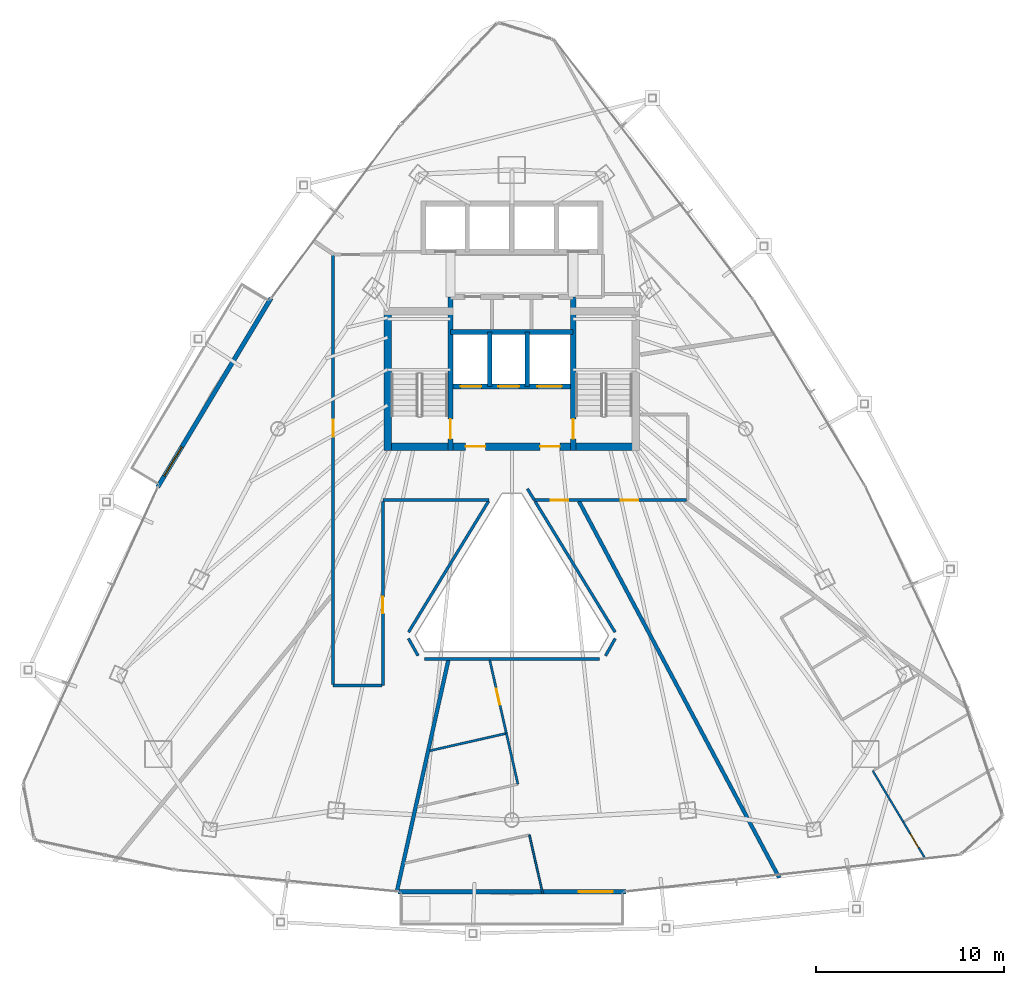
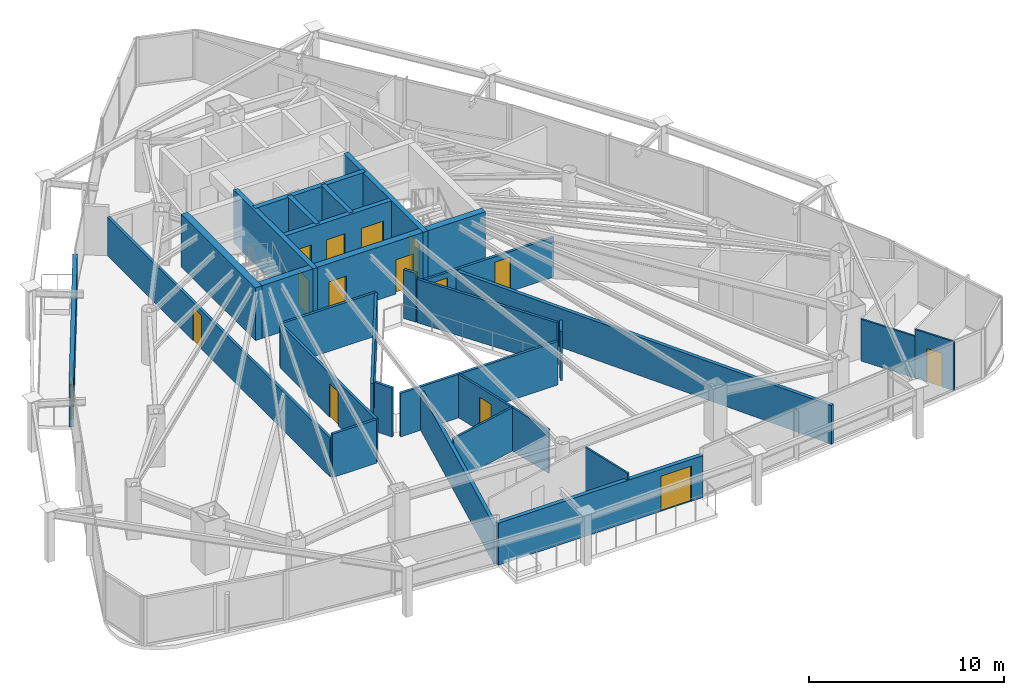
# One storey, part 28 of 33: 29 walls, 15 doors, 15 openings.
"""IFC4 building model written with IfcOpenShell, lengths in metres."""

from ifc_helpers import new_model, si_unit, direction, frame, frame_2d, origin, place, context, subcontext, project, spatial, rectangle, extrude, material, layer, layer_set, type_object, element, fill, save


model = new_model("IFC4")

# Units and contexts
model_context = context("Model", 3, precision=1e-05, world=origin(), true_north=direction((0.0, 1.0)))
body_context = subcontext(model_context, "Body", "Model", "MODEL_VIEW")
ifc_project = project(units=[si_unit("LENGTHUNIT", "METRE"), si_unit("AREAUNIT", "SQUARE_METRE"), si_unit("VOLUMEUNIT", "CUBIC_METRE"), si_unit("PLANEANGLEUNIT", "RADIAN"), si_unit("MASSUNIT", "GRAM", prefix="KILO")], contexts=[model_context])

# Site, building, storey
site_placement = place(None, origin())
site = spatial("IfcSite", under=ifc_project, at=site_placement, CompositionType="ELEMENT")
building_placement = place(site_placement, origin())
building = spatial("IfcBuilding", under=site, at=building_placement, Name="Orvanel Arch Residences", CompositionType="ELEMENT")
storey_placement = place(building_placement, frame((0.0, 0.0, 123.199951171875)))
storey = spatial("IfcBuildingStorey", under=building, at=storey_placement, Name="L34", CompositionType="ELEMENT", Elevation=123.199951171875)

# Wall, opening, door
ifc_material_1 = material(Name="Precast concrete N50 (50 MPa)", Category="concrete")
ifc_layer_1 = layer(ifc_material_1, 0.239990234375)
ifc_layer_set_1 = layer_set([ifc_layer_1], Name="Precast concrete N50 (50 MPa)")
wall_type_1 = type_object("IfcWallType", Name="EW-BAL-240", PredefinedType="SOLIDWALL", material=ifc_layer_set_1)
wall_1_placement = place(storey_placement, frame((20.199951171875, 34.5859375, 0.0), z_axis=(0.0, 0.0, 1.0), x_axis=(-0.514379309275, -0.857562782652, 0.0)))
wall_1 = element("IfcWall", 1, at=wall_1_placement, inside=storey, type_object=wall_type_1, Name="L34 Balcony Threshold Wall Face 1", PredefinedType="SOLIDWALL", context=body_context, shape_type="SweptSolid", body=[
    extrude(rectangle(XDim=11.716796875, YDim=0.239990234375, at=frame_2d((5.8583984375, 0.0))), origin(), (0.0, 0.0, 1.0), 2.6240234375),
])
opening_1_placement = place(wall_1_placement, frame((9.219970703125, 0.0, 0.0)))
opening_1 = element("IfcOpeningElement", 2, at=opening_1_placement, cuts=wall_1, Name="Opening DB-180", PredefinedType="OPENING", context=body_context, shape_type="SweptSolid", body=[
    extrude(rectangle(XDim=1.800048828125, YDim=2.199951171875, at=frame_2d((0.89990234375, 1.10009765625))), frame((0.0, 0.1298828125, 0.0), z_axis=(0.0, -1.0, 0.0), x_axis=(1.0, 0.0, 0.0)), (0.0, 0.0, 1.0), 0.260009765625),
])
ifc_material_2 = material(Name="Bronze-anodised aluminium AA6063-T6", Category="aluminium")
door_type_1 = type_object("IfcDoorType", Name="DR-BAL-1800", OperationType="NOTDEFINED", PredefinedType="DOOR", material=ifc_material_2)
door_1_placement = place(opening_1_placement, origin())
door_1 = element("IfcDoor", 3, at=door_1_placement, inside=storey, type_object=door_type_1, Name="DR-L34-BAL-F1 L34 Planted Balcony Access Door Face 1", OperationType="SINGLE_SWING_RIGHT", OverallHeight=2.199951171875, OverallWidth=1.800048828125, PredefinedType="DOOR", context=body_context, shape_type="SweptSolid", body=[
    extrude(rectangle(XDim=1.800048828125, YDim=2.199951171875, at=frame_2d((0.89990234375, 1.10009765625))), frame((0.0, 0.02490234375, 0.0), z_axis=(0.0, -1.0, 0.0), x_axis=(1.0, 0.0, 0.0)), (0.0, 0.0, 1.0), 0.050048828125),
])
fill(opening_1, door_1)

wall_2_placement = place(storey_placement, frame((26.943115234375, 3.032958984375, 0.0), z_axis=(0.0, 0.0, 1.0), x_axis=(1.0, 0.0, 0.0)))
wall_2 = element("IfcWall", 4, at=wall_2_placement, inside=storey, type_object=wall_type_1, Name="L34 Balcony Threshold Wall Face 2", PredefinedType="SOLIDWALL", context=body_context, shape_type="SweptSolid", body=[
    extrude(rectangle(XDim=12.11376953125, YDim=0.239990234375, at=frame_2d((6.056884765625, 0.0))), origin(), (0.0, 0.0, 1.0), 2.6240234375),
])
opening_2_placement = place(wall_2_placement, frame((9.614990234375, 0.0, 0.0)))
opening_2 = element("IfcOpeningElement", 5, at=opening_2_placement, cuts=wall_2, Name="Opening DB-180", PredefinedType="OPENING", context=body_context, shape_type="SweptSolid", body=[
    extrude(rectangle(XDim=1.800048828125, YDim=2.199951171875, at=frame_2d((0.89990234375, 1.10009765625))), frame((0.0, 0.1298828125, 0.0), z_axis=(0.0, -1.0, 0.0), x_axis=(1.0, 0.0, 0.0)), (0.0, 0.0, 1.0), 0.260009765625),
])
door_2_placement = place(opening_2_placement, origin())
door_2 = element("IfcDoor", 6, at=door_2_placement, inside=storey, type_object=door_type_1, Name="DR-L34-BAL-F2 L34 Planted Balcony Access Door Face 2", OperationType="SINGLE_SWING_LEFT", OverallHeight=2.199951171875, OverallWidth=1.800048828125, PredefinedType="DOOR", context=body_context, shape_type="SweptSolid", body=[
    extrude(rectangle(XDim=1.800048828125, YDim=2.199951171875, at=frame_2d((0.89990234375, 1.10009765625))), frame((0.0, 0.02490234375, 0.0), z_axis=(0.0, -1.0, 0.0), x_axis=(1.0, 0.0, 0.0)), (0.0, 0.0, 1.0), 0.050048828125),
])
fill(opening_2, door_2)

# Walls
ifc_material_3 = material(Name="Concrete N50 (50 MPa)", Category="concrete")
ifc_layer_2 = layer(ifc_material_3, 0.25)
ifc_layer_set_2 = layer_set([ifc_layer_2], Name="Concrete N50 (50 MPa)")
wall_type_2 = type_object("IfcWallType", Name="SW-CORE-250", PredefinedType="SHEAR", material=ifc_layer_set_2)
for number, where, z_axis, x_axis, name in (
    (7, (31.824951171875, 29.889892578125, 0.0), (0.0, 0.0, 1.0), (0.0, 1.0, 0.0), "L34 Emergency Lift Inter-Shaft Wall F12"),
    (8, (33.824951171875, 29.889892578125, 0.0), (0.0, 0.0, 1.0), (0.0, 1.0, 0.0), "L34 Emergency Lift Inter-Shaft Wall F2G"),
):
    element("IfcWall", number, at=place(storey_placement, frame(where, z_axis=z_axis, x_axis=x_axis)), inside=storey, type_object=wall_type_2, Name=name, PredefinedType="SHEAR", context=body_context, shape_type="SweptSolid", body=[
        extrude(rectangle(XDim=2.900146484375, YDim=0.25, at=frame_2d((1.4501953125, 0.0))), origin(), (0.0, 0.0, 1.0), 3.300048828125),
    ])

# Wall, opening, door
ifc_material_4 = material(Name="Concrete S65 (65 MPa)", Category="concrete")
ifc_layer_3 = layer(ifc_material_4, 0.280029296875)
ifc_layer_set_3 = layer_set([ifc_layer_3], Name="Concrete S65 (65 MPa)")
wall_type_3 = type_object("IfcWallType", Name="SW-CORE-280", PredefinedType="SHEAR", material=ifc_layer_set_3)
wall_3_placement = place(storey_placement, frame((29.739990234375, 26.5, 0.0), z_axis=(0.0, 0.0, 1.0), x_axis=(0.0, 1.0, 0.0)))
wall_3 = element("IfcWall", 9, at=wall_3_placement, inside=storey, type_object=wall_type_3, Name="L34 West Inner Core Spine Shear Wall", PredefinedType="SHEAR", context=body_context, shape_type="SweptSolid", body=[
    extrude(rectangle(XDim=8.14990234375, YDim=0.280029296875, at=frame_2d((4.074951171875, 0.0))), origin(), (0.0, 0.0, 1.0), 3.300048828125),
])
opening_3_placement = place(wall_3_placement, frame((0.60009765625, 0.0, 0.0)))
opening_3 = element("IfcOpeningElement", 10, at=opening_3_placement, cuts=wall_3, Name="Opening DF-120", PredefinedType="OPENING", context=body_context, shape_type="SweptSolid", body=[
    extrude(rectangle(XDim=1.050048828125, YDim=2.14990234375, at=frame_2d((0.52490234375, 1.074951171875))), frame((0.0, 0.14990234375, 0.0), z_axis=(0.0, -1.0, 0.0), x_axis=(1.0, 0.0, 0.0)), (0.0, 0.0, 1.0), 0.300048828125),
])
ifc_material_5 = material(Name="Galvanised steel fire-resisting door assembly", Category="steel")
door_type_2 = type_object("IfcDoorType", Name="DR-FD120-1050", OperationType="NOTDEFINED", PredefinedType="DOOR", material=ifc_material_5)
door_3_placement = place(opening_3_placement, origin())
door_3 = element("IfcDoor", 11, at=door_3_placement, inside=storey, type_object=door_type_2, Name="DR-L34-ST1 L34 Stair 1 Fire Door", OperationType="SINGLE_SWING_LEFT", OverallHeight=2.14990234375, OverallWidth=1.050048828125, PredefinedType="DOOR", context=body_context, shape_type="SweptSolid", body=[
    extrude(rectangle(XDim=1.050048828125, YDim=2.14990234375, at=frame_2d((0.52490234375, 1.074951171875))), frame((0.0, 0.02490234375, 0.0), z_axis=(0.0, -1.0, 0.0), x_axis=(1.0, 0.0, 0.0)), (0.0, 0.0, 1.0), 0.050048828125),
])
fill(opening_3, door_3)

wall_4_placement = place(storey_placement, frame((36.260009765625, 26.5, 0.0), z_axis=(0.0, 0.0, 1.0), x_axis=(0.0, 1.0, 0.0)))
wall_4 = element("IfcWall", 12, at=wall_4_placement, inside=storey, type_object=wall_type_3, Name="L34 East Inner Core Spine Shear Wall", PredefinedType="SHEAR", context=body_context, shape_type="SweptSolid", body=[
    extrude(rectangle(XDim=8.14990234375, YDim=0.280029296875, at=frame_2d((4.074951171875, 0.0))), origin(), (0.0, 0.0, 1.0), 3.300048828125),
])
opening_4_placement = place(wall_4_placement, frame((0.60009765625, 0.0, 0.0)))
opening_4 = element("IfcOpeningElement", 13, at=opening_4_placement, cuts=wall_4, Name="Opening DF-120", PredefinedType="OPENING", context=body_context, shape_type="SweptSolid", body=[
    extrude(rectangle(XDim=1.050048828125, YDim=2.14990234375, at=frame_2d((0.52490234375, 1.074951171875))), frame((0.0, 0.14990234375, 0.0), z_axis=(0.0, -1.0, 0.0), x_axis=(1.0, 0.0, 0.0)), (0.0, 0.0, 1.0), 0.300048828125),
])
door_4_placement = place(opening_4_placement, origin())
door_4 = element("IfcDoor", 14, at=door_4_placement, inside=storey, type_object=door_type_2, Name="DR-L34-ST2 L34 Stair 2 Fire Door", OperationType="SINGLE_SWING_RIGHT", OverallHeight=2.14990234375, OverallWidth=1.050048828125, PredefinedType="DOOR", context=body_context, shape_type="SweptSolid", body=[
    extrude(rectangle(XDim=1.050048828125, YDim=2.14990234375, at=frame_2d((0.52490234375, 1.074951171875))), frame((0.0, 0.02490234375, 0.0), z_axis=(0.0, -1.0, 0.0), x_axis=(1.0, 0.0, 0.0)), (0.0, 0.0, 1.0), 0.050048828125),
])
fill(opening_4, door_4)

# Wall, openings, doors
wall_5_placement = place(storey_placement, frame((36.260009765625, 29.889892578125, 0.0), z_axis=(0.0, 0.0, 1.0), x_axis=(-1.0, 0.0, 0.0)))
wall_5 = element("IfcWall", 15, at=wall_5_placement, inside=storey, type_object=wall_type_3, Name="L34 Emergency Lift Front Core Shear Wall", PredefinedType="SHEAR", context=body_context, shape_type="SweptSolid", body=[
    extrude(rectangle(XDim=6.52001953125, YDim=0.280029296875, at=frame_2d((3.260009765625, 0.0))), origin(), (0.0, 0.0, 1.0), 3.300048828125),
])
opening_5_placement = place(wall_5_placement, frame((4.875, 0.0, 0.0)))
opening_5 = element("IfcOpeningElement", 16, at=opening_5_placement, cuts=wall_5, Name="Opening LD-110", PredefinedType="OPENING", context=body_context, shape_type="SweptSolid", body=[
    extrude(rectangle(XDim=1.10009765625, YDim=2.199951171875, at=frame_2d((0.550048828125, 1.10009765625))), frame((0.0, 0.14990234375, 0.0), z_axis=(0.0, -1.0, 0.0), x_axis=(1.0, 0.0, 0.0)), (0.0, 0.0, 1.0), 0.300048828125),
])
opening_6_placement = place(wall_5_placement, frame((2.875, 0.0, 0.0)))
opening_6 = element("IfcOpeningElement", 17, at=opening_6_placement, cuts=wall_5, Name="Opening LD-110", PredefinedType="OPENING", context=body_context, shape_type="SweptSolid", body=[
    extrude(rectangle(XDim=1.10009765625, YDim=2.199951171875, at=frame_2d((0.550048828125, 1.10009765625))), frame((0.0, 0.14990234375, 0.0), z_axis=(0.0, -1.0, 0.0), x_axis=(1.0, 0.0, 0.0)), (0.0, 0.0, 1.0), 0.300048828125),
])
opening_7_placement = place(wall_5_placement, frame((0.60009765625, 0.0, 0.0)))
opening_7 = element("IfcOpeningElement", 18, at=opening_7_placement, cuts=wall_5, Name="Opening LD-130", PredefinedType="OPENING", context=body_context, shape_type="SweptSolid", body=[
    extrude(rectangle(XDim=1.300048828125, YDim=2.199951171875, at=frame_2d((0.64990234375, 1.10009765625))), frame((0.0, 0.14990234375, 0.0), z_axis=(0.0, -1.0, 0.0), x_axis=(1.0, 0.0, 0.0)), (0.0, 0.0, 1.0), 0.300048828125),
])
door_type_3 = type_object("IfcDoorType", Name="DR-LFT-1100", OperationType="NOTDEFINED", PredefinedType="DOOR", material=ifc_material_5)
door_5_placement = place(opening_5_placement, origin())
door_5 = element("IfcDoor", 19, at=door_5_placement, inside=storey, type_object=door_type_3, Name="LD-F1-L34 L34 Lift F1 Sliding Landing Door", OperationType="DOUBLE_DOOR_SLIDING", OverallHeight=2.199951171875, OverallWidth=1.10009765625, PredefinedType="DOOR", context=body_context, shape_type="SweptSolid", body=[
    extrude(rectangle(XDim=1.10009765625, YDim=2.199951171875, at=frame_2d((0.550048828125, 1.10009765625))), frame((0.0, 0.02490234375, 0.0), z_axis=(0.0, -1.0, 0.0), x_axis=(1.0, 0.0, 0.0)), (0.0, 0.0, 1.0), 0.050048828125),
])
fill(opening_5, door_5)
door_6_placement = place(opening_6_placement, origin())
door_6 = element("IfcDoor", 20, at=door_6_placement, inside=storey, type_object=door_type_3, Name="LD-F2-L34 L34 Lift F2 Sliding Landing Door", OperationType="DOUBLE_DOOR_SLIDING", OverallHeight=2.199951171875, OverallWidth=1.10009765625, PredefinedType="DOOR", context=body_context, shape_type="SweptSolid", body=[
    extrude(rectangle(XDim=1.10009765625, YDim=2.199951171875, at=frame_2d((0.550048828125, 1.10009765625))), frame((0.0, 0.02490234375, 0.0), z_axis=(0.0, -1.0, 0.0), x_axis=(1.0, 0.0, 0.0)), (0.0, 0.0, 1.0), 0.050048828125),
])
fill(opening_6, door_6)
door_type_4 = type_object("IfcDoorType", Name="DR-LFT-1300", OperationType="NOTDEFINED", PredefinedType="DOOR", material=ifc_material_5)
door_7_placement = place(opening_7_placement, origin())
door_7 = element("IfcDoor", 21, at=door_7_placement, inside=storey, type_object=door_type_4, Name="LD-G1-L34 L34 Lift G1 Sliding Landing Door", OperationType="DOUBLE_DOOR_SLIDING", OverallHeight=2.199951171875, OverallWidth=1.300048828125, PredefinedType="DOOR", context=body_context, shape_type="SweptSolid", body=[
    extrude(rectangle(XDim=1.300048828125, YDim=2.199951171875, at=frame_2d((0.64990234375, 1.10009765625))), frame((0.0, 0.02490234375, 0.0), z_axis=(0.0, -1.0, 0.0), x_axis=(1.0, 0.0, 0.0)), (0.0, 0.0, 1.0), 0.050048828125),
])
fill(opening_7, door_7)

# Wall
wall_6_placement = place(storey_placement, frame((29.739990234375, 32.7900390625, 0.0), z_axis=(0.0, 0.0, 1.0), x_axis=(1.0, 0.0, 0.0)))
element("IfcWall", 22, at=wall_6_placement, inside=storey, type_object=wall_type_3, Name="L34 Emergency Lift Back Core Shear Wall", PredefinedType="SHEAR", context=body_context, shape_type="SweptSolid", body=[
    extrude(rectangle(XDim=6.52001953125, YDim=0.280029296875, at=frame_2d((3.260009765625, 0.0))), origin(), (0.0, 0.0, 1.0), 3.300048828125),
])

# Wall, openings, doors
ifc_layer_4 = layer(ifc_material_4, 0.39990234375)
ifc_layer_set_4 = layer_set([ifc_layer_4], Name="Concrete S65 (65 MPa)")
wall_type_4 = type_object("IfcWallType", Name="SW-CORE-400", PredefinedType="SHEAR", material=ifc_layer_set_4)
wall_7_placement = place(storey_placement, frame((26.199951171875, 26.699951171875, 0.0), z_axis=(0.0, 0.0, 1.0), x_axis=(1.0, 0.0, 0.0)))
wall_7 = element("IfcWall", 23, at=wall_7_placement, inside=storey, type_object=wall_type_4, Name="L34 South Core Shear Wall", PredefinedType="SHEAR", context=body_context, shape_type="SweptSolid", body=[
    extrude(rectangle(XDim=13.60009765625, YDim=0.39990234375, at=frame_2d((6.800048828125, 0.0))), origin(), (0.0, 0.0, 1.0), 3.300048828125),
])
opening_8_placement = place(wall_7_placement, frame((4.35009765625, 0.0, 0.0)))
opening_8 = element("IfcOpeningElement", 24, at=opening_8_placement, cuts=wall_7, Name="Opening DF-060", PredefinedType="OPENING", context=body_context, shape_type="SweptSolid", body=[
    extrude(rectangle(XDim=1.050048828125, YDim=2.14990234375, at=frame_2d((0.52490234375, 1.074951171875))), frame((0.0, 0.2099609375, 0.0), z_axis=(0.0, -1.0, 0.0), x_axis=(1.0, 0.0, 0.0)), (0.0, 0.0, 1.0), 0.419921875),
])
opening_9_placement = place(wall_7_placement, frame((8.300048828125, 0.0, 0.0)))
opening_9 = element("IfcOpeningElement", 25, at=opening_9_placement, cuts=wall_7, Name="Opening DF-060", PredefinedType="OPENING", context=body_context, shape_type="SweptSolid", body=[
    extrude(rectangle(XDim=1.050048828125, YDim=2.14990234375, at=frame_2d((0.52490234375, 1.074951171875))), frame((0.0, 0.2099609375, 0.0), z_axis=(0.0, -1.0, 0.0), x_axis=(1.0, 0.0, 0.0)), (0.0, 0.0, 1.0), 0.419921875),
])
door_type_5 = type_object("IfcDoorType", Name="DR-FD60-1050", OperationType="NOTDEFINED", PredefinedType="DOOR", material=ifc_material_5)
door_8_placement = place(opening_8_placement, origin())
door_8 = element("IfcDoor", 26, at=door_8_placement, inside=storey, type_object=door_type_5, Name="DR-L34-FFL-W L34 West Smoke Lobby Door", OperationType="SINGLE_SWING_LEFT", OverallHeight=2.14990234375, OverallWidth=1.050048828125, PredefinedType="DOOR", context=body_context, shape_type="SweptSolid", body=[
    extrude(rectangle(XDim=1.050048828125, YDim=2.14990234375, at=frame_2d((0.52490234375, 1.074951171875))), frame((0.0, 0.02490234375, 0.0), z_axis=(0.0, -1.0, 0.0), x_axis=(1.0, 0.0, 0.0)), (0.0, 0.0, 1.0), 0.050048828125),
])
fill(opening_8, door_8)
door_9_placement = place(opening_9_placement, origin())
door_9 = element("IfcDoor", 27, at=door_9_placement, inside=storey, type_object=door_type_5, Name="DR-L34-FFL-E L34 East Smoke Lobby Door", OperationType="SINGLE_SWING_RIGHT", OverallHeight=2.14990234375, OverallWidth=1.050048828125, PredefinedType="DOOR", context=body_context, shape_type="SweptSolid", body=[
    extrude(rectangle(XDim=1.050048828125, YDim=2.14990234375, at=frame_2d((0.52490234375, 1.074951171875))), frame((0.0, 0.02490234375, 0.0), z_axis=(0.0, -1.0, 0.0), x_axis=(1.0, 0.0, 0.0)), (0.0, 0.0, 1.0), 0.050048828125),
])
fill(opening_9, door_9)

# Walls
wall_8_placement = place(storey_placement, frame((26.39990234375, 26.5, 0.0), z_axis=(0.0, 0.0, 1.0), x_axis=(0.0, 1.0, 0.0)))
element("IfcWall", 28, at=wall_8_placement, inside=storey, type_object=wall_type_4, Name="L34 West Stair Shear Wall", PredefinedType="SHEAR", context=body_context, shape_type="SweptSolid", body=[
    extrude(rectangle(XDim=7.60009765625, YDim=0.39990234375, at=frame_2d((3.800048828125, 0.0))), origin(), (0.0, 0.0, 1.0), 3.300048828125),
])
ifc_material_6 = material(Name="Fire-rated plasterboard lined steel stud partition", Category="steel")
ifc_layer_5 = layer(ifc_material_6, 0.14990234375)
ifc_layer_set_5 = layer_set([ifc_layer_5], Name="Fire-rated plasterboard lined steel stud partition")
wall_type_5 = type_object("IfcWallType", Name="W-COR-150", PredefinedType="PARTITIONING", material=ifc_layer_set_5)
wall_9_placement = place(storey_placement, frame((31.798095703125, 23.85009765625, 0.0), z_axis=(0.0, 0.0, 1.0), x_axis=(-1.0, 0.0, 0.0)))
element("IfcWall", 29, at=wall_9_placement, inside=storey, type_object=wall_type_5, Name="L34 Corridor Fire-Rated Partition", PredefinedType="PARTITIONING", context=body_context, shape_type="SweptSolid", body=[
    extrude(rectangle(XDim=5.648193359375, YDim=0.14990234375, at=frame_2d((2.82421875, 0.0))), origin(), (0.0, 0.0, 1.0), 2.720947265625),
])

# Wall, opening, door
wall_10_placement = place(storey_placement, frame((26.14990234375, 23.7900390625, 0.0), z_axis=(0.0, 0.0, 1.0), x_axis=(0.0, -1.0, 0.0)))
wall_10 = element("IfcWall", 30, at=wall_10_placement, inside=storey, type_object=wall_type_5, Name="L34 Corridor Fire-Rated Partition", PredefinedType="PARTITIONING", context=body_context, shape_type="SweptSolid", body=[
    extrude(rectangle(XDim=9.7900390625, YDim=0.14990234375, at=frame_2d((4.89501953125, 0.0))), origin(), (0.0, 0.0, 1.0), 2.720947265625),
])
opening_10_placement = place(wall_10_placement, frame((5.080078125, 0.0, 0.0)))
opening_10 = element("IfcOpeningElement", 31, at=opening_10_placement, cuts=wall_10, Name="Opening DI-088", PredefinedType="OPENING", context=body_context, shape_type="SweptSolid", body=[
    extrude(rectangle(XDim=0.8798828125, YDim=2.10009765625, at=frame_2d((0.43994140625, 1.050048828125))), frame((0.0, 0.0849609375, 0.0), z_axis=(0.0, -1.0, 0.0), x_axis=(1.0, 0.0, 0.0)), (0.0, 0.0, 1.0), 0.169921875),
])
ifc_material_7 = material(Name="Solid-core European oak veneer fire door leaf", Category="wood")
door_type_6 = type_object("IfcDoorType", Name="DR-INT-880", OperationType="NOTDEFINED", PredefinedType="DOOR", material=ifc_material_7)
door_10_placement = place(opening_10_placement, origin())
door_10 = element("IfcDoor", 32, at=door_10_placement, inside=storey, type_object=door_type_6, Name="DR-L34-SHRD-FB4 L34 Co-Working Study Office D Door", OperationType="SINGLE_SWING_LEFT", OverallHeight=2.10009765625, OverallWidth=0.8798828125, PredefinedType="DOOR", context=body_context, shape_type="SweptSolid", body=[
    extrude(rectangle(XDim=0.8798828125, YDim=2.10009765625, at=frame_2d((0.43994140625, 1.050048828125))), frame((0.0, 0.02490234375, 0.0), z_axis=(0.0, -1.0, 0.0), x_axis=(1.0, 0.0, 0.0)), (0.0, 0.0, 1.0), 0.050048828125),
])
fill(opening_10, door_10)

# Wall
wall_11_placement = place(storey_placement, frame((26.090087890625, 14.0, 0.0), z_axis=(0.0, 0.0, 1.0), x_axis=(-1.0, 0.0, 0.0)))
element("IfcWall", 33, at=wall_11_placement, inside=storey, type_object=wall_type_5, Name="L34 Corridor Fire-Rated Partition", PredefinedType="PARTITIONING", context=body_context, shape_type="SweptSolid", body=[
    extrude(rectangle(XDim=2.590087890625, YDim=0.14990234375, at=frame_2d((1.294921875, 0.0))), origin(), (0.0, 0.0, 1.0), 2.720947265625),
])

# Wall, opening, door
wall_12_placement = place(storey_placement, frame((23.5, 14.06005859375, 0.0), z_axis=(0.0, 0.0, 1.0), x_axis=(0.0, 1.0, 0.0)))
wall_12 = element("IfcWall", 34, at=wall_12_placement, inside=storey, type_object=wall_type_5, Name="L34 Corridor Fire-Rated Partition", PredefinedType="PARTITIONING", context=body_context, shape_type="SweptSolid", body=[
    extrude(rectangle(XDim=22.83984375, YDim=0.14990234375, at=frame_2d((11.419921875, 0.0))), origin(), (0.0, 0.0, 1.0), 2.4130859375),
])
opening_11_placement = place(wall_12_placement, frame((13.169921875, 0.0, 0.0)))
opening_11 = element("IfcOpeningElement", 35, at=opening_11_placement, cuts=wall_12, Name="Opening DI-088", PredefinedType="OPENING", context=body_context, shape_type="SweptSolid", body=[
    extrude(rectangle(XDim=0.8798828125, YDim=2.10009765625, at=frame_2d((0.43994140625, 1.050048828125))), frame((0.0, 0.0849609375, 0.0), z_axis=(0.0, -1.0, 0.0), x_axis=(1.0, 0.0, 0.0)), (0.0, 0.0, 1.0), 0.169921875),
])
door_11_placement = place(opening_11_placement, origin())
door_11 = element("IfcDoor", 36, at=door_11_placement, inside=storey, type_object=door_type_6, Name="DR-L34-SHRD-FB1 L34 Co-Working Study Office A Door", OperationType="SINGLE_SWING_LEFT", OverallHeight=2.10009765625, OverallWidth=0.8798828125, PredefinedType="DOOR", context=body_context, shape_type="SweptSolid", body=[
    extrude(rectangle(XDim=0.8798828125, YDim=2.10009765625, at=frame_2d((0.43994140625, 1.050048828125))), frame((0.0, 0.02490234375, 0.0), z_axis=(0.0, -1.0, 0.0), x_axis=(1.0, 0.0, 0.0)), (0.0, 0.0, 1.0), 0.050048828125),
])
fill(opening_11, door_11)

# Wall, openings, doors
wall_13_placement = place(storey_placement, frame((42.2900390625, 23.85009765625, 0.0), z_axis=(0.0, 0.0, 1.0), x_axis=(-1.0, 0.0, 0.0)))
wall_13 = element("IfcWall", 37, at=wall_13_placement, inside=storey, type_object=wall_type_5, Name="L34 Corridor Fire-Rated Partition", PredefinedType="PARTITIONING", context=body_context, shape_type="SweptSolid", body=[
    extrude(rectangle(XDim=8.088134765625, YDim=0.14990234375, at=frame_2d((4.0439453125, 0.0))), origin(), (0.0, 0.0, 1.0), 2.491943359375),
])
opening_12_placement = place(wall_13_placement, frame((2.56689453125, 0.0, 0.0)))
opening_12 = element("IfcOpeningElement", 38, at=opening_12_placement, cuts=wall_13, Name="Opening DA-092", PredefinedType="OPENING", context=body_context, shape_type="SweptSolid", body=[
    extrude(rectangle(XDim=0.919921875, YDim=2.14990234375, at=frame_2d((0.4599609375, 1.074951171875))), frame((0.0, 0.0849609375, 0.0), z_axis=(0.0, -1.0, 0.0), x_axis=(1.0, 0.0, 0.0)), (0.0, 0.0, 1.0), 0.169921875),
])
opening_13_placement = place(wall_13_placement, frame((6.2958984375, 0.0, 0.0)))
opening_13 = element("IfcOpeningElement", 39, at=opening_13_placement, cuts=wall_13, Name="Opening DA-092", PredefinedType="OPENING", context=body_context, shape_type="SweptSolid", body=[
    extrude(rectangle(XDim=0.919921875, YDim=2.14990234375, at=frame_2d((0.4599609375, 1.074951171875))), frame((0.0, 0.0849609375, 0.0), z_axis=(0.0, -1.0, 0.0), x_axis=(1.0, 0.0, 0.0)), (0.0, 0.0, 1.0), 0.169921875),
])
door_type_7 = type_object("IfcDoorType", Name="DR-APT-920", OperationType="NOTDEFINED", PredefinedType="DOOR", material=ifc_material_7)
door_12_placement = place(opening_12_placement, origin())
door_12 = element("IfcDoor", 40, at=door_12_placement, inside=storey, type_object=door_type_7, Name="DR-L34-B-ENT L34 Flat B Entrance Door", OperationType="SINGLE_SWING_LEFT", OverallHeight=2.14990234375, OverallWidth=0.919921875, PredefinedType="DOOR", context=body_context, shape_type="SweptSolid", body=[
    extrude(rectangle(XDim=0.919921875, YDim=2.14990234375, at=frame_2d((0.4599609375, 1.074951171875))), frame((0.0, 0.02490234375, 0.0), z_axis=(0.0, -1.0, 0.0), x_axis=(1.0, 0.0, 0.0)), (0.0, 0.0, 1.0), 0.050048828125),
])
fill(opening_12, door_12)
door_13_placement = place(opening_13_placement, origin())
door_13 = element("IfcDoor", 41, at=door_13_placement, inside=storey, type_object=door_type_7, Name="DR-L34-C-ENT L34 Studio C Entrance Door", OperationType="SINGLE_SWING_RIGHT", OverallHeight=2.14990234375, OverallWidth=0.919921875, PredefinedType="DOOR", context=body_context, shape_type="SweptSolid", body=[
    extrude(rectangle(XDim=0.919921875, YDim=2.14990234375, at=frame_2d((0.4599609375, 1.074951171875))), frame((0.0, 0.02490234375, 0.0), z_axis=(0.0, -1.0, 0.0), x_axis=(1.0, 0.0, 0.0)), (0.0, 0.0, 1.0), 0.050048828125),
])
fill(opening_13, door_13)

# Walls
wall_14_placement = place(storey_placement, frame((34.201904296875, 23.85009765625, 0.0), z_axis=(0.0, 0.0, 1.0), x_axis=(-0.527226500772, 0.849724788907, 0.0)))
element("IfcWall", 42, at=wall_14_placement, inside=storey, type_object=wall_type_5, Name="L34 Corridor Fire-Rated Partition", PredefinedType="PARTITIONING", context=body_context, shape_type="SweptSolid", body=[
    extrude(rectangle(XDim=0.713134765625, YDim=0.14990234375, at=frame_2d((0.3564453125, 0.0))), origin(), (0.0, 0.0, 1.0), 3.06005859375),
])
wall_15_placement = place(storey_placement, frame((34.23291015625, 23.7900390625, 0.0), z_axis=(0.0, 0.0, 1.0), x_axis=(0.521893040745, -0.853010934292, 0.0)))
element("IfcWall", 43, at=wall_15_placement, inside=storey, type_object=wall_type_5, Name="L34 Atrium Overlook Glazed Partition", PredefinedType="PARTITIONING", context=body_context, shape_type="SweptSolid", body=[
    extrude(rectangle(XDim=8.156982421875, YDim=0.14990234375, at=frame_2d((4.07861328125, 0.0))), origin(), (0.0, 0.0, 1.0), 2.720947265625),
])
wall_16_placement = place(storey_placement, frame((38.4970703125, 16.49609375, 0.0), z_axis=(0.0, 0.0, 1.0), x_axis=(-0.489281087794, -0.872126147485, 0.0)))
element("IfcWall", 44, at=wall_16_placement, inside=storey, type_object=wall_type_5, Name="L34 Atrium Overlook Glazed Partition", PredefinedType="PARTITIONING", context=body_context, shape_type="SweptSolid", body=[
    extrude(rectangle(XDim=1.052734375, YDim=0.14990234375, at=frame_2d((0.5263671875, 0.0))), origin(), (0.0, 0.0, 1.0), 3.06005859375),
])
wall_17_placement = place(storey_placement, frame((37.654052734375, 15.406005859375, 0.0), z_axis=(0.0, 0.0, 1.0), x_axis=(-1.0, 0.0, 0.0)))
element("IfcWall", 45, at=wall_17_placement, inside=storey, type_object=wall_type_5, Name="L34 Atrium Overlook Glazed Partition", PredefinedType="PARTITIONING", context=body_context, shape_type="SweptSolid", body=[
    extrude(rectangle(XDim=9.30810546875, YDim=0.14990234375, at=frame_2d((4.654052734375, 0.0))), origin(), (0.0, 0.0, 1.0), 2.720947265625),
])
wall_18_placement = place(storey_placement, frame((28.01806640625, 15.577880859375, 0.0), z_axis=(0.0, 0.0, 1.0), x_axis=(-0.489281087794, 0.872126147485, 0.0)))
element("IfcWall", 46, at=wall_18_placement, inside=storey, type_object=wall_type_5, Name="L34 Atrium Overlook Glazed Partition", PredefinedType="PARTITIONING", context=body_context, shape_type="SweptSolid", body=[
    extrude(rectangle(XDim=1.052734375, YDim=0.14990234375, at=frame_2d((0.5263671875, 0.0))), origin(), (0.0, 0.0, 1.0), 3.06005859375),
])
wall_19_placement = place(storey_placement, frame((27.510009765625, 16.83203125, 0.0), z_axis=(0.0, 0.0, 1.0), x_axis=(0.521348270591, 0.853343999072, 0.0)))
element("IfcWall", 47, at=wall_19_placement, inside=storey, type_object=wall_type_5, Name="L34 Atrium Overlook Glazed Partition", PredefinedType="PARTITIONING", context=body_context, shape_type="SweptSolid", body=[
    extrude(rectangle(XDim=8.15380859375, YDim=0.14990234375, at=frame_2d((4.076904296875, 0.0))), origin(), (0.0, 0.0, 1.0), 2.720947265625),
])
ifc_layer_6 = layer(ifc_material_6, 0.199951171875)
ifc_layer_set_6 = layer_set([ifc_layer_6], Name="Fire-rated plasterboard lined steel stud partition")
wall_type_6 = type_object("IfcWallType", Name="W-DEM-200", PredefinedType="PARTITIONING", material=ifc_layer_set_6)
wall_20_placement = place(storey_placement, frame((47.214111328125, 3.77490234375, 0.0), z_axis=(0.0, 0.0, 1.0), x_axis=(-0.469567249912, 0.88289670846, 0.0)))
element("IfcWall", 48, at=wall_20_placement, inside=storey, type_object=wall_type_6, Name="L34 Inter-Tenancy Acoustic Demising Wall", PredefinedType="PARTITIONING", context=body_context, shape_type="SweptSolid", body=[
    extrude(rectangle(XDim=22.669921875, YDim=0.199951171875, at=frame_2d((11.3349609375, 0.0))), origin(), (0.0, 0.0, 1.0), 2.4130859375),
])
wall_21_placement = place(storey_placement, frame((26.89208984375, 3.05908203125, 0.0), z_axis=(0.0, 0.0, 1.0), x_axis=(0.217267240277, 0.97611215867, 0.0)))
element("IfcWall", 49, at=wall_21_placement, inside=storey, type_object=wall_type_6, Name="L34 Inter-Tenancy Acoustic Demising Wall", PredefinedType="PARTITIONING", context=body_context, shape_type="SweptSolid", body=[
    extrude(rectangle(XDim=12.587646484375, YDim=0.199951171875, at=frame_2d((6.2939453125, 0.0))), origin(), (0.0, 0.0, 1.0), 2.4130859375),
])
ifc_material_8 = material(Name="Acoustic plasterboard lined twin-stud partition", Category="gypsum")
ifc_layer_7 = layer(ifc_material_8, 0.10009765625)
ifc_layer_set_7 = layer_set([ifc_layer_7], Name="Acoustic plasterboard lined twin-stud partition")
wall_type_7 = type_object("IfcWallType", Name="W-INT-100", PredefinedType="PARTITIONING", material=ifc_layer_set_7)
wall_22_placement = place(storey_placement, frame((52.18798828125, 9.455078125, 0.0), z_axis=(0.0, 0.0, 1.0), x_axis=(0.512963071382, -0.858410675259, 0.0)))
element("IfcWall", 50, at=wall_22_placement, inside=storey, type_object=wall_type_7, Name="L34 Flat B Internal Partition", PredefinedType="PARTITIONING", context=body_context, shape_type="SweptSolid", body=[
    extrude(rectangle(XDim=3.1640625, YDim=0.10009765625, at=frame_2d((1.58203125, 0.0))), origin(), (0.0, 0.0, 1.0), 2.619140625),
])

# Wall, opening, door
wall_23_placement = place(storey_placement, frame((53.81103515625, 6.739013671875, 0.0), z_axis=(0.0, 0.0, 1.0), x_axis=(0.512795384263, -0.858510858335, 0.0)))
wall_23 = element("IfcWall", 51, at=wall_23_placement, inside=storey, type_object=wall_type_7, Name="L34 Flat B Internal Partition", PredefinedType="PARTITIONING", context=body_context, shape_type="SweptSolid", body=[
    extrude(rectangle(XDim=2.302978515625, YDim=0.10009765625, at=frame_2d((1.1513671875, 0.0))), origin(), (0.0, 0.0, 1.0), 3.06005859375),
])
opening_14_placement = place(wall_23_placement, frame((0.7109375, 0.0, 0.0)))
opening_14 = element("IfcOpeningElement", 52, at=opening_14_placement, cuts=wall_23, Name="Opening DI-088", PredefinedType="OPENING", context=body_context, shape_type="SweptSolid", body=[
    extrude(rectangle(XDim=0.8798828125, YDim=2.10009765625, at=frame_2d((0.43994140625, 1.050048828125))), frame((0.0, 0.06005859375, 0.0), z_axis=(0.0, -1.0, 0.0), x_axis=(1.0, 0.0, 0.0)), (0.0, 0.0, 1.0), 0.1201171875),
])
door_14_placement = place(opening_14_placement, origin())
door_14 = element("IfcDoor", 53, at=door_14_placement, inside=storey, type_object=door_type_6, Name="DR-L34-B-OFC2 L34 Flat B Home Work Office 1 Door", OperationType="SINGLE_SWING_LEFT", OverallHeight=2.10009765625, OverallWidth=0.8798828125, PredefinedType="DOOR", context=body_context, shape_type="SweptSolid", body=[
    extrude(rectangle(XDim=0.8798828125, YDim=2.10009765625, at=frame_2d((0.43994140625, 1.050048828125))), frame((0.0, 0.02490234375, 0.0), z_axis=(0.0, -1.0, 0.0), x_axis=(1.0, 0.0, 0.0)), (0.0, 0.0, 1.0), 0.050048828125),
])
fill(opening_14, door_14)

# Walls
wall_24_placement = place(storey_placement, frame((34.64404296875, 2.929931640625, 0.0), z_axis=(0.0, 0.0, 1.0), x_axis=(-0.22131804383, 0.975201683487, 0.0)))
element("IfcWall", 54, at=wall_24_placement, inside=storey, type_object=wall_type_7, Name="L34 Studio C Internal Partition", PredefinedType="PARTITIONING", context=body_context, shape_type="SweptSolid", body=[
    extrude(rectangle(XDim=3.203369140625, YDim=0.10009765625, at=frame_2d((1.6015625, 0.0))), origin(), (0.0, 0.0, 1.0), 3.06005859375),
])
ifc_layer_8 = layer(ifc_material_8, 0.1201171875)
ifc_layer_set_8 = layer_set([ifc_layer_8], Name="Acoustic plasterboard lined twin-stud partition")
wall_type_8 = type_object("IfcWallType", Name="W-WET-120", PredefinedType="PARTITIONING", material=ifc_layer_set_8)
wall_25_placement = place(storey_placement, frame((33.322998046875, 8.751953125, 0.0), z_axis=(0.0, 0.0, 1.0), x_axis=(-0.221159716637, 0.975237601683, 0.0)))
element("IfcWall", 55, at=wall_25_placement, inside=storey, type_object=wall_type_8, Name="L34 Studio C Bathroom Partition", PredefinedType="PARTITIONING", context=body_context, shape_type="SweptSolid", body=[
    extrude(rectangle(XDim=2.767578125, YDim=0.1201171875, at=frame_2d((1.3837890625, 0.0))), origin(), (0.0, 0.0, 1.0), 2.720947265625),
])

# Wall, opening, door
wall_26_placement = place(storey_placement, frame((32.7109375, 11.450927734375, 0.0), z_axis=(0.0, 0.0, 1.0), x_axis=(-0.221335761288, 0.975197662413, 0.0)))
wall_26 = element("IfcWall", 56, at=wall_26_placement, inside=storey, type_object=wall_type_8, Name="L34 Studio C Internal Partition", PredefinedType="PARTITIONING", context=body_context, shape_type="SweptSolid", body=[
    extrude(rectangle(XDim=3.994140625, YDim=0.1201171875, at=frame_2d((1.9970703125, 0.0))), origin(), (0.0, 0.0, 1.0), 2.720947265625),
])
opening_15_placement = place(wall_26_placement, frame((1.556884765625, 0.0, 0.0)))
opening_15 = element("IfcOpeningElement", 57, at=opening_15_placement, cuts=wall_26, Name="Opening DI-088", PredefinedType="OPENING", context=body_context, shape_type="SweptSolid", body=[
    extrude(rectangle(XDim=0.8798828125, YDim=2.10009765625, at=frame_2d((0.43994140625, 1.050048828125))), frame((0.0, 0.070068359375, 0.0), z_axis=(0.0, -1.0, 0.0), x_axis=(1.0, 0.0, 0.0)), (0.0, 0.0, 1.0), 0.14013671875),
])
door_15_placement = place(opening_15_placement, origin())
door_15 = element("IfcDoor", 58, at=door_15_placement, inside=storey, type_object=door_type_6, Name="DR-L34-C-KIT L34 Studio C Kitchenette Door", OperationType="SINGLE_SWING_LEFT", OverallHeight=2.10009765625, OverallWidth=0.8798828125, PredefinedType="DOOR", context=body_context, shape_type="SweptSolid", body=[
    extrude(rectangle(XDim=0.8798828125, YDim=2.10009765625, at=frame_2d((0.43994140625, 1.050048828125))), frame((0.0, 0.02490234375, 0.0), z_axis=(0.0, -1.0, 0.0), x_axis=(1.0, 0.0, 0.0)), (0.0, 0.0, 1.0), 0.050048828125),
])
fill(opening_15, door_15)

# Wall
wall_27_placement = place(storey_placement, frame((28.64208984375, 10.528076171875, 0.0), z_axis=(0.0, 0.0, 1.0), x_axis=(0.975230479555, 0.221191120408, 0.0)))
element("IfcWall", 59, at=wall_27_placement, inside=storey, type_object=wall_type_8, Name="L34 Studio C Bathroom Partition", PredefinedType="PARTITIONING", context=body_context, shape_type="SweptSolid", body=[
    extrude(rectangle(XDim=4.172119140625, YDim=0.1201171875, at=frame_2d((2.0859375, 0.0))), origin(), (0.0, 0.0, 1.0), 2.720947265625),
])

save(model, "model.ifc")
